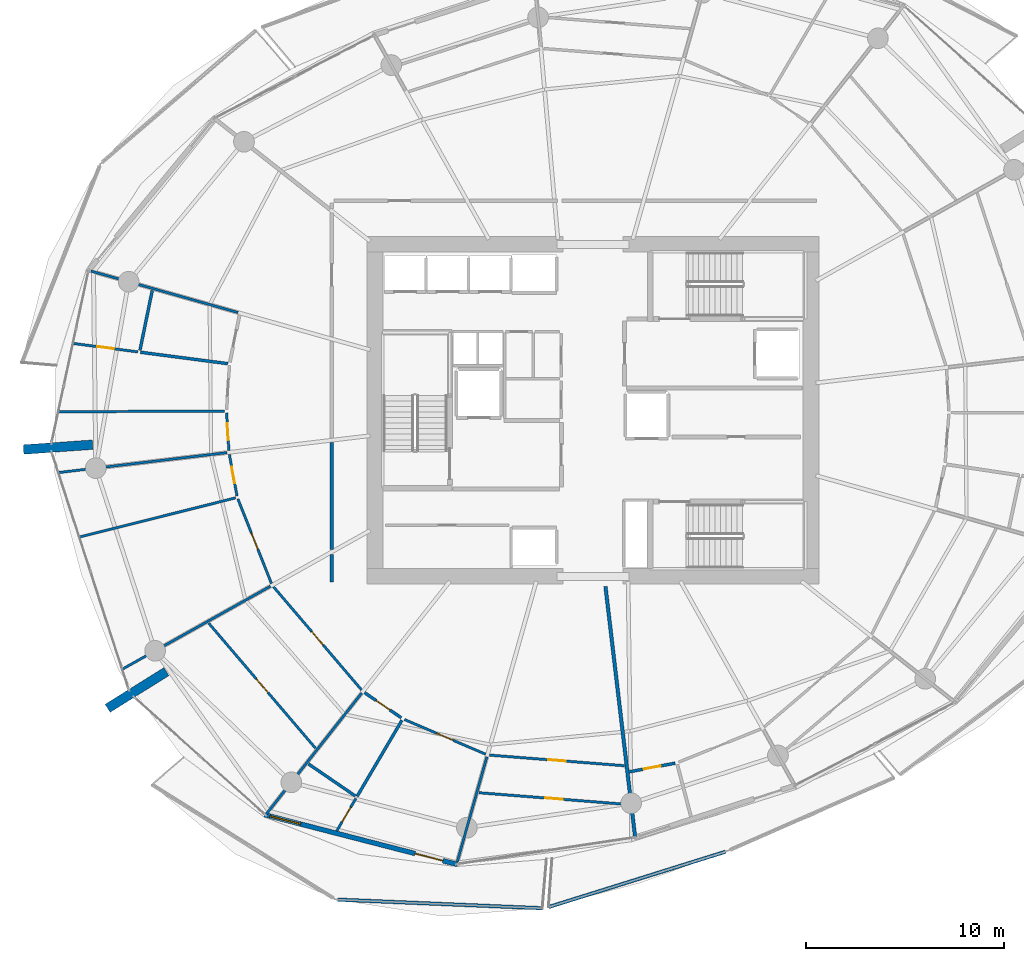
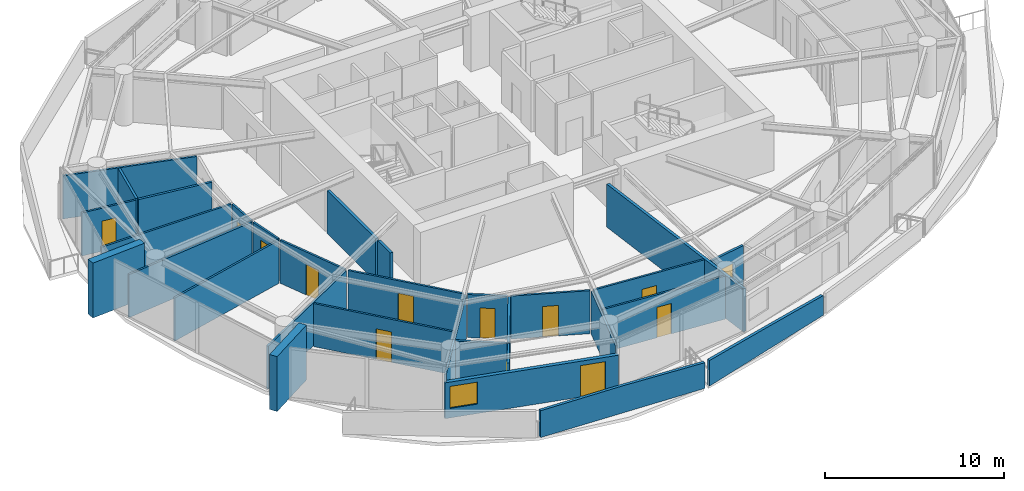
# One storey, part 11 of 20: 31 walls, 13 doors, 1 window, 14 openings.
"""IFC4 building model written with IfcOpenShell, lengths in metres."""

from ifc_helpers import new_model, si_unit, direction, frame, frame_2d, origin, place, context, subcontext, project, spatial, polyline, rectangle, outline, extrude, material, layer, layer_set, type_object, element, fill, save


model = new_model("IFC4")

# Units and contexts
model_context = context("Model", 3, precision=1e-05, world=origin(), true_north=direction((0.0, 1.0)))
body_context = subcontext(model_context, "Body", "Model", "MODEL_VIEW")
ifc_project = project(units=[si_unit("LENGTHUNIT", "METRE"), si_unit("AREAUNIT", "SQUARE_METRE"), si_unit("VOLUMEUNIT", "CUBIC_METRE"), si_unit("PLANEANGLEUNIT", "RADIAN"), si_unit("MASSUNIT", "GRAM", prefix="KILO")], contexts=[model_context])

# Site, building, storey
site_placement = place(None, origin())
site = spatial("IfcSite", under=ifc_project, at=site_placement, CompositionType="ELEMENT")
building_placement = place(site_placement, origin())
building = spatial("IfcBuilding", under=site, at=building_placement, Name="Kazma Halo Residences", CompositionType="ELEMENT")
storey_placement = place(building_placement, frame((0.0, 0.0, 146.550048828125)))
storey = spatial("IfcBuildingStorey", under=building, at=storey_placement, Name="L36", CompositionType="ELEMENT", Elevation=146.550048828125)

# Walls
ifc_material_1 = material(Name="White Concrete C50/60 Balustrade", Category="concrete")
ifc_layer_1 = layer(ifc_material_1, 0.179931640625)
ifc_layer_set_1 = layer_set([ifc_layer_1], Name="White Concrete C50/60 Balustrade")
wall_type_1 = type_object("IfcWallType", Name="WL-BAL-WAVE-180", PredefinedType="PARAPET", material=ifc_layer_set_1)
wall_1_placement = place(storey_placement, frame((35.506591796875, 17.240234375, 0.0), z_axis=(0.0, 0.0, 1.0), x_axis=(0.999118685157, -0.041974432349, 0.0)))
element("IfcWall", 1, at=wall_1_placement, inside=storey, type_object=wall_type_1, Name="L36 white wave balustrade wall SW.2", PredefinedType="PARAPET", context=body_context, shape_type="SweptSolid", body=[
    extrude(outline(polyline([(0.0, 0.0), (10.36474609375, 0.0), (10.364501953125, 1.755859375), (5.182373046875, 1.85302734375), (0.0, 1.83203125), (0.0, 0.0)])), frame((0.0, 0.08984375, 0.0), z_axis=(0.0, -1.0, 0.0), x_axis=(1.0, 0.0, 0.0)), (0.0, 0.0, 1.0), 0.179931640625),
])
wall_2_placement = place(storey_placement, frame((46.176025390625, 16.86279296875, 0.0), z_axis=(0.0, 0.0, 1.0), x_axis=(0.954421625817, 0.298461656119, 0.0)))
element("IfcWall", 2, at=wall_2_placement, inside=storey, type_object=wall_type_1, Name="L36 white wave balustrade wall SSE.1", PredefinedType="PARAPET", context=body_context, shape_type="SweptSolid", body=[
    extrude(outline(polyline([(0.0, 0.0), (9.38330078125, 0.0), (9.383056640625, 1.347900390625), (4.69140625, 1.56201171875), (0.0, 1.7470703125), (0.0, 0.0)])), frame((0.0, 0.08984375, 0.0), z_axis=(0.0, -1.0, 0.0), x_axis=(1.0, 0.0, 0.0)), (0.0, 0.0, 1.0), 0.179931640625),
])
ifc_material_2 = material(Name="Pale Concrete C60/75", Category="concrete")
ifc_layer_2 = layer(ifc_material_2, 0.47998046875)
ifc_layer_set_2 = layer_set([ifc_layer_2], Name="Pale Concrete C60/75")
wall_type_2 = type_object("IfcWallType", Name="WL-BLADE-480", PredefinedType="SOLIDWALL", material=ifc_layer_set_2)
for number, where, z_axis, x_axis, name in (
    (3, (23.10302734375, 40.259033203125, 0.0), (0.0, 0.0, 1.0), (-0.997564163539, -0.069754853754, 0.0), "L36 pale concrete structural blade fin wall BW-02"),
    (4, (26.834716796875, 28.7744140625, 0.0), (0.0, 0.0, 1.0), (-0.848053161125, -0.529911158502, 0.0), "L36 pale concrete structural blade fin wall BW-03"),
):
    element("IfcWall", number, at=place(storey_placement, frame(where, z_axis=z_axis, x_axis=x_axis)), inside=storey, type_object=wall_type_2, Name=name, PredefinedType="SOLIDWALL", context=body_context, shape_type="SweptSolid", body=[
        extrude(rectangle(XDim=3.5, YDim=0.47998046875, at=frame_2d((1.75, 0.0))), origin(), (0.0, 0.0, 1.0), 3.75),
    ])
ifc_material_3 = material(Name="Acoustic Twin-Stud Gypsum")
ifc_layer_3 = layer(ifc_material_3, 0.179931640625)
ifc_layer_set_3 = layer_set([ifc_layer_3], Name="Acoustic Twin-Stud Gypsum")
wall_type_3 = type_object("IfcWallType", Name="WL-DEM-180", PredefinedType="PARTITIONING", material=ifc_layer_set_3)
wall_3_placement = place(storey_placement, frame((49.054443359375, 33.0908203125, 0.0), z_axis=(0.0, 0.0, 1.0), x_axis=(0.117543744731, -0.993067705685, 0.0)))
element("IfcWall", 5, at=wall_3_placement, inside=storey, type_object=wall_type_3, Name="L36 apartment demising radial wall 11", PredefinedType="PARTITIONING", context=body_context, shape_type="SweptSolid", body=[
    extrude(rectangle(XDim=12.76318359375, YDim=0.179931640625, at=frame_2d((6.381591796875, 0.0))), origin(), (0.0, 0.0, 1.0), 2.93994140625),
])
wall_4_placement = place(storey_placement, frame((35.199951171875, 40.364990234375, 0.0), z_axis=(0.0, 0.0, 1.0), x_axis=(0.0, -1.0, 0.0)))
element("IfcWall", 6, at=wall_4_placement, inside=storey, type_object=wall_type_3, Name="L36 Apartment 1 inner wall 7", PredefinedType="PARTITIONING", context=body_context, shape_type="SweptSolid", body=[
    extrude(rectangle(XDim=5.413330078125, YDim=0.179931640625, at=frame_2d((2.70654296875, 0.0))), origin(), (0.0, 0.0, 1.0), 2.93994140625),
])
wall_5_placement = place(storey_placement, frame((35.199951171875, 34.711669921875, 0.0), z_axis=(0.0, 0.0, 1.0), x_axis=(0.0, -1.0, 0.0)))
element("IfcWall", 7, at=wall_5_placement, inside=storey, type_object=wall_type_3, Name="L36 Apartment 1 inner wall 8", PredefinedType="PARTITIONING", context=body_context, shape_type="SweptSolid", body=[
    extrude(rectangle(XDim=1.3916015625, YDim=0.179931640625, at=frame_2d((0.69580078125, 0.0))), origin(), (0.0, 0.0, 1.0), 2.93994140625),
])

# Wall, openings, door, window
ifc_material_4 = material(Name="Insulated Pale-Metal Composite Wall")
ifc_layer_4 = layer(ifc_material_4, 0.239990234375)
ifc_layer_set_4 = layer_set([ifc_layer_4], Name="Insulated Pale-Metal Composite Wall")
wall_type_4 = type_object("IfcWallType", Name="WL-EXT-HOST-240", PredefinedType="SOLIDWALL", material=ifc_layer_set_4)
wall_6_placement = place(storey_placement, frame((31.807861328125, 21.5341796875, 0.0), z_axis=(0.0, 0.0, 1.0), x_axis=(0.968379685126, -0.249481032214, 0.0)))
wall_6 = element("IfcWall", 8, at=wall_6_placement, inside=storey, type_object=wall_type_4, Name="L36 exterior terrace-access wall B10", PredefinedType="SOLIDWALL", context=body_context, shape_type="SweptSolid", body=[
    extrude(rectangle(XDim=10.08154296875, YDim=0.239990234375, at=frame_2d((5.040771484375, 0.0))), origin(), (0.0, 0.0, 1.0), 2.449951171875),
])
opening_1_placement = place(wall_6_placement, frame((7.861572265625, 0.0, 0.0)))
opening_1 = element("IfcOpeningElement", 9, at=opening_1_placement, cuts=wall_6, Name="Opening DTR-1600", PredefinedType="OPENING", context=body_context, shape_type="SweptSolid", body=[
    extrude(rectangle(XDim=1.449951171875, YDim=2.14990234375, at=frame_2d((0.72509765625, 1.074951171875))), frame((0.0, 0.1298828125, 0.0), z_axis=(0.0, -1.0, 0.0), x_axis=(1.0, 0.0, 0.0)), (0.0, 0.0, 1.0), 0.260009765625),
])
opening_2_placement = place(wall_6_placement, frame((0.280029296875, 0.0, 0.64990234375)))
opening_2 = element("IfcOpeningElement", 10, at=opening_2_placement, cuts=wall_6, Name="Opening W-1800", PredefinedType="OPENING", context=body_context, shape_type="SweptSolid", body=[
    extrude(rectangle(XDim=1.60009765625, YDim=1.5, at=frame_2d((0.800048828125, 0.75))), frame((0.0, 0.1298828125, 0.0), z_axis=(0.0, -1.0, 0.0), x_axis=(1.0, 0.0, 0.0)), (0.0, 0.0, 1.0), 0.260009765625),
])
ifc_material_5 = material(Name="Aluminium AW-6063 T6 Double-Glazed Terrace Door", Category="aluminium")
door_type_1 = type_object("IfcDoorType", Name="DR-EXT-TERR-1600", OperationType="NOTDEFINED", PredefinedType="DOOR", material=ifc_material_5)
door_1_placement = place(opening_1_placement, origin())
door_1 = element("IfcDoor", 11, at=door_1_placement, inside=storey, type_object=door_type_1, Name="L36 B10 balcony terrace door", OperationType="DOUBLE_DOOR_SLIDING", OverallHeight=2.14990234375, OverallWidth=1.449951171875, PredefinedType="DOOR", context=body_context, shape_type="SweptSolid", body=[
    extrude(rectangle(XDim=1.449951171875, YDim=2.14990234375, at=frame_2d((0.72509765625, 1.074951171875))), frame((0.0, 0.02490234375, 0.0), z_axis=(0.0, -1.0, 0.0), x_axis=(1.0, 0.0, 0.0)), (0.0, 0.0, 1.0), 0.050048828125),
])
fill(opening_1, door_1)
ifc_material_6 = material(Name="Clear Triple-Silver Low-E Glass in Aluminium AW-6063 T6 Frame", Category="aluminium")
window_type = type_object("IfcWindowType", Name="WIN-RES-1800", PartitioningType="DOUBLE_PANEL_VERTICAL", PredefinedType="WINDOW", material=ifc_material_6)
window_placement = place(opening_2_placement, origin())
window = element("IfcWindow", 12, at=window_placement, inside=storey, type_object=window_type, Name="L36 B10 apartment window", OverallHeight=1.5, OverallWidth=1.60009765625, PartitioningType="SINGLE_PANEL", PredefinedType="WINDOW", context=body_context, shape_type="SweptSolid", body=[
    extrude(rectangle(XDim=1.60009765625, YDim=1.5, at=frame_2d((0.800048828125, 0.75))), frame((0.0, 0.030029296875, 0.0), z_axis=(0.0, -1.0, 0.0), x_axis=(1.0, 0.0, 0.0)), (0.0, 0.0, 1.0), 0.06005859375),
])
fill(opening_2, window)

# Wall
ifc_material_7 = material(Name="Gypsum Plasterboard Partition")
ifc_layer_5 = layer(ifc_material_7, 0.125)
ifc_layer_set_5 = layer_set([ifc_layer_5], Name="Gypsum Plasterboard Partition")
wall_type_5 = type_object("IfcWallType", Name="WL-PART-125", PredefinedType="PARTITIONING", material=ifc_layer_set_5)
wall_7_placement = place(storey_placement, frame((30.465087890625, 46.9453125, 0.0), z_axis=(0.0, 0.0, 1.0), x_axis=(-0.962456021196, 0.271437667363, 0.0)))
element("IfcWall", 13, at=wall_7_placement, inside=storey, type_object=wall_type_5, Name="L36 Apartment 1 radial partition 6", PredefinedType="PARTITIONING", context=body_context, shape_type="SweptSolid", body=[
    extrude(rectangle(XDim=7.732421875, YDim=0.125, at=frame_2d((3.8662109375, 0.0))), origin(), (0.0, 0.0, 1.0), 2.93994140625),
])

# Wall, opening, door
wall_8_placement = place(storey_placement, frame((25.393310546875, 44.955078125, 0.0), z_axis=(0.0, 0.0, 1.0), x_axis=(-0.991560176963, 0.12964727325, 0.0)))
wall_8 = element("IfcWall", 14, at=wall_8_placement, inside=storey, type_object=wall_type_5, Name="L36 Apartment 1 Household Store Room partition wall", PredefinedType="PARTITIONING", context=body_context, shape_type="SweptSolid", body=[
    extrude(rectangle(XDim=3.2861328125, YDim=0.125, at=frame_2d((1.64306640625, 0.0))), origin(), (0.0, 0.0, 1.0), 2.93994140625),
])
opening_3_placement = place(wall_8_placement, frame((1.218017578125, 0.0, 0.0)))
opening_3 = element("IfcOpeningElement", 15, at=opening_3_placement, cuts=wall_8, Name="Opening DB-900", PredefinedType="OPENING", context=body_context, shape_type="SweptSolid", body=[
    extrude(rectangle(XDim=0.85009765625, YDim=2.06005859375, at=frame_2d((0.425048828125, 1.030029296875))), frame((0.0, 0.072509765625, 0.0), z_axis=(0.0, -1.0, 0.0), x_axis=(1.0, 0.0, 0.0)), (0.0, 0.0, 1.0), 0.14501953125),
])
ifc_material_8 = material(Name="Moisture-Sealed Timber Leaf", Category="wood")
door_type_2 = type_object("IfcDoorType", Name="DR-BTH-900", OperationType="NOTDEFINED", PredefinedType="DOOR", material=ifc_material_8)
door_2_placement = place(opening_3_placement, origin())
door_2 = element("IfcDoor", 16, at=door_2_placement, inside=storey, type_object=door_type_2, Name="L36 Apartment 1 Household Store Room door", OperationType="SINGLE_SWING_RIGHT", OverallHeight=2.06005859375, OverallWidth=0.85009765625, PredefinedType="DOOR", context=body_context, shape_type="SweptSolid", body=[
    extrude(rectangle(XDim=0.85009765625, YDim=2.06005859375, at=frame_2d((0.425048828125, 1.030029296875))), frame((0.0, 0.02490234375, 0.0), z_axis=(0.0, -1.0, 0.0), x_axis=(1.0, 0.0, 0.0)), (0.0, 0.0, 1.0), 0.050048828125),
])
fill(opening_3, door_2)

# Wall
wall_9_placement = place(storey_placement, frame((29.791015625, 41.952880859375, 0.0), z_axis=(0.0, 0.0, 1.0), x_axis=(-0.999996651439, -0.0025878777, 0.0)))
element("IfcWall", 17, at=wall_9_placement, inside=storey, type_object=wall_type_5, Name="L36 Apartment 1 suite divider 6", PredefinedType="PARTITIONING", context=body_context, shape_type="SweptSolid", body=[
    extrude(rectangle(XDim=8.396240234375, YDim=0.125, at=frame_2d((4.1982421875, 0.0))), origin(), (0.0, 0.0, 1.0), 2.93994140625),
])

# Wall, opening, door
wall_10_placement = place(storey_placement, frame((29.885986328125, 41.873291015625, 0.0), z_axis=(0.0, 0.0, 1.0), x_axis=(0.060058165276, -0.998194879161, 0.0)))
wall_10 = element("IfcWall", 18, at=wall_10_placement, inside=storey, type_object=wall_type_5, Name="L36 Apartment 1 Primary Bedroom hall wall", PredefinedType="PARTITIONING", context=body_context, shape_type="SweptSolid", body=[
    extrude(rectangle(XDim=1.906494140625, YDim=0.125, at=frame_2d((0.953125, 0.0))), origin(), (0.0, 0.0, 1.0), 2.93994140625),
])
opening_4_placement = place(wall_10_placement, frame((0.5283203125, 0.0, 0.0)))
opening_4 = element("IfcOpeningElement", 19, at=opening_4_placement, cuts=wall_10, Name="Opening DB-900", PredefinedType="OPENING", context=body_context, shape_type="SweptSolid", body=[
    extrude(rectangle(XDim=0.85009765625, YDim=2.06005859375, at=frame_2d((0.425048828125, 1.030029296875))), frame((0.0, 0.072509765625, 0.0), z_axis=(0.0, -1.0, 0.0), x_axis=(1.0, 0.0, 0.0)), (0.0, 0.0, 1.0), 0.14501953125),
])
door_3_placement = place(opening_4_placement, origin())
door_3 = element("IfcDoor", 20, at=door_3_placement, inside=storey, type_object=door_type_2, Name="L36 Apartment 1 Primary Bedroom door", OperationType="SINGLE_SWING_RIGHT", OverallHeight=2.06005859375, OverallWidth=0.85009765625, PredefinedType="DOOR", context=body_context, shape_type="SweptSolid", body=[
    extrude(rectangle(XDim=0.85009765625, YDim=2.06005859375, at=frame_2d((0.425048828125, 1.030029296875))), frame((0.0, 0.02490234375, 0.0), z_axis=(0.0, -1.0, 0.0), x_axis=(1.0, 0.0, 0.0)), (0.0, 0.0, 1.0), 0.050048828125),
])
fill(opening_4, door_3)

# Walls
wall_11_placement = place(storey_placement, frame((29.9072265625, 39.8583984375, 0.0), z_axis=(0.0, 0.0, 1.0), x_axis=(-0.993070228419, -0.117522429465, 0.0)))
element("IfcWall", 21, at=wall_11_placement, inside=storey, type_object=wall_type_5, Name="L36 Apartment 1 radial partition 7", PredefinedType="PARTITIONING", context=body_context, shape_type="SweptSolid", body=[
    extrude(rectangle(XDim=8.567138671875, YDim=0.125, at=frame_2d((4.28369140625, 0.0))), origin(), (0.0, 0.0, 1.0), 2.93994140625),
])
wall_12_placement = place(storey_placement, frame((30.33837890625, 37.568603515625, 0.0), z_axis=(0.0, 0.0, 1.0), x_axis=(-0.969940631235, -0.243341677236, 0.0)))
element("IfcWall", 22, at=wall_12_placement, inside=storey, type_object=wall_type_5, Name="L36 Apartment 1 mid-bay wall 7", PredefinedType="PARTITIONING", context=body_context, shape_type="SweptSolid", body=[
    extrude(rectangle(XDim=8.12353515625, YDim=0.125, at=frame_2d((4.061767578125, 0.0))), origin(), (0.0, 0.0, 1.0), 2.93994140625),
])

# Wall, opening, door
wall_13_placement = place(storey_placement, frame((30.024658203125, 39.77197265625, 0.0), z_axis=(0.0, 0.0, 1.0), x_axis=(0.180764237825, -0.983526456341, 0.0)))
wall_13 = element("IfcWall", 23, at=wall_13_placement, inside=storey, type_object=wall_type_5, Name="L36 Apartment 1 East Bedroom hall wall", PredefinedType="PARTITIONING", context=body_context, shape_type="SweptSolid", body=[
    extrude(rectangle(XDim=2.137939453125, YDim=0.125, at=frame_2d((1.06884765625, 0.0))), origin(), (0.0, 0.0, 1.0), 2.93994140625),
])
opening_5_placement = place(wall_13_placement, frame((0.64404296875, 0.0, 0.0)))
opening_5 = element("IfcOpeningElement", 24, at=opening_5_placement, cuts=wall_13, Name="Opening DB-900", PredefinedType="OPENING", context=body_context, shape_type="SweptSolid", body=[
    extrude(rectangle(XDim=0.85009765625, YDim=2.06005859375, at=frame_2d((0.425048828125, 1.030029296875))), frame((0.0, 0.072509765625, 0.0), z_axis=(0.0, -1.0, 0.0), x_axis=(1.0, 0.0, 0.0)), (0.0, 0.0, 1.0), 0.14501953125),
])
door_4_placement = place(opening_5_placement, origin())
door_4 = element("IfcDoor", 25, at=door_4_placement, inside=storey, type_object=door_type_2, Name="L36 Apartment 1 East Bedroom door", OperationType="SINGLE_SWING_RIGHT", OverallHeight=2.06005859375, OverallWidth=0.85009765625, PredefinedType="DOOR", context=body_context, shape_type="SweptSolid", body=[
    extrude(rectangle(XDim=0.85009765625, YDim=2.06005859375, at=frame_2d((0.425048828125, 1.030029296875))), frame((0.0, 0.02490234375, 0.0), z_axis=(0.0, -1.0, 0.0), x_axis=(1.0, 0.0, 0.0)), (0.0, 0.0, 1.0), 0.050048828125),
])
fill(opening_5, door_4)

wall_14_placement = place(storey_placement, frame((30.455078125, 37.51611328125, 0.0), z_axis=(0.0, 0.0, 1.0), x_axis=(0.369249273076, -0.929330390299, 0.0)))
wall_14 = element("IfcWall", 26, at=wall_14_placement, inside=storey, type_object=wall_type_5, Name="L36 Apartment 1 West Master Bedroom hall wall", PredefinedType="PARTITIONING", context=body_context, shape_type="SweptSolid", body=[
    extrude(rectangle(XDim=4.601806640625, YDim=0.125, at=frame_2d((2.30078125, 0.0))), origin(), (0.0, 0.0, 1.0), 2.93994140625),
])
opening_6_placement = place(wall_14_placement, frame((1.850830078125, 0.0, 0.0)))
opening_6 = element("IfcOpeningElement", 27, at=opening_6_placement, cuts=wall_14, Name="Opening DI-950", PredefinedType="OPENING", context=body_context, shape_type="SweptSolid", body=[
    extrude(rectangle(XDim=0.89990234375, YDim=2.080078125, at=frame_2d((0.449951171875, 1.0400390625))), frame((0.0, 0.072509765625, 0.0), z_axis=(0.0, -1.0, 0.0), x_axis=(1.0, 0.0, 0.0)), (0.0, 0.0, 1.0), 0.14501953125),
])
ifc_material_9 = material(Name="Timber Veneer Flush Leaf", Category="wood")
door_type_3 = type_object("IfcDoorType", Name="DR-INT-950", OperationType="NOTDEFINED", PredefinedType="DOOR", material=ifc_material_9)
door_5_placement = place(opening_6_placement, origin())
door_5 = element("IfcDoor", 28, at=door_5_placement, inside=storey, type_object=door_type_3, Name="L36 Apartment 1 West Master Bedroom door", OperationType="SINGLE_SWING_LEFT", OverallHeight=2.080078125, OverallWidth=0.89990234375, PredefinedType="DOOR", context=body_context, shape_type="SweptSolid", body=[
    extrude(rectangle(XDim=0.89990234375, YDim=2.080078125, at=frame_2d((0.449951171875, 1.0400390625))), frame((0.0, 0.02490234375, 0.0), z_axis=(0.0, -1.0, 0.0), x_axis=(1.0, 0.0, 0.0)), (0.0, 0.0, 1.0), 0.050048828125),
])
fill(opening_6, door_5)

# Wall
wall_15_placement = place(storey_placement, frame((32.10400390625, 33.097900390625, 0.0), z_axis=(0.0, 0.0, 1.0), x_axis=(-0.872488035617, -0.488635475283, 0.0)))
element("IfcWall", 29, at=wall_15_placement, inside=storey, type_object=wall_type_5, Name="L36 Apartment 1 radial partition 8", PredefinedType="PARTITIONING", context=body_context, shape_type="SweptSolid", body=[
    extrude(rectangle(XDim=8.5673828125, YDim=0.125, at=frame_2d((4.28369140625, 0.0))), origin(), (0.0, 0.0, 1.0), 2.93994140625),
])

# Wall, opening, door
wall_16_placement = place(storey_placement, frame((32.2626953125, 33.06298828125, 0.0), z_axis=(0.0, 0.0, 1.0), x_axis=(0.649448927448, -0.760405214762, 0.0)))
wall_16 = element("IfcWall", 30, at=wall_16_placement, inside=storey, type_object=wall_type_5, Name="L36 Apartment 1 North Study hall wall", PredefinedType="PARTITIONING", context=body_context, shape_type="SweptSolid", body=[
    extrude(rectangle(XDim=6.849609375, YDim=0.125, at=frame_2d((3.4248046875, 0.0))), origin(), (0.0, 0.0, 1.0), 2.93994140625),
])
opening_7_placement = place(wall_16_placement, frame((2.974853515625, 0.0, 0.0)))
opening_7 = element("IfcOpeningElement", 31, at=opening_7_placement, cuts=wall_16, Name="Opening DI-950", PredefinedType="OPENING", context=body_context, shape_type="SweptSolid", body=[
    extrude(rectangle(XDim=0.89990234375, YDim=2.080078125, at=frame_2d((0.449951171875, 1.0400390625))), frame((0.0, 0.072509765625, 0.0), z_axis=(0.0, -1.0, 0.0), x_axis=(1.0, 0.0, 0.0)), (0.0, 0.0, 1.0), 0.14501953125),
])
door_6_placement = place(opening_7_placement, origin())
door_6 = element("IfcDoor", 32, at=door_6_placement, inside=storey, type_object=door_type_3, Name="L36 Apartment 1 North Study door", OperationType="SINGLE_SWING_LEFT", OverallHeight=2.080078125, OverallWidth=0.89990234375, PredefinedType="DOOR", context=body_context, shape_type="SweptSolid", body=[
    extrude(rectangle(XDim=0.89990234375, YDim=2.080078125, at=frame_2d((0.449951171875, 1.0400390625))), frame((0.0, 0.02490234375, 0.0), z_axis=(0.0, -1.0, 0.0), x_axis=(1.0, 0.0, 0.0)), (0.0, 0.0, 1.0), 0.050048828125),
])
fill(opening_7, door_6)

wall_17_placement = place(storey_placement, frame((28.982177734375, 31.225830078125, 0.0), z_axis=(0.0, 0.0, 1.0), x_axis=(0.649429273824, -0.760422000142, 0.0)))
wall_17 = element("IfcWall", 33, at=wall_17_placement, inside=storey, type_object=wall_type_5, Name="L36 Apartment 1 South Master Bedroom divider wall", PredefinedType="PARTITIONING", context=body_context, shape_type="SweptSolid", body=[
    extrude(rectangle(XDim=8.316650390625, YDim=0.125, at=frame_2d((4.158203125, 0.0))), origin(), (0.0, 0.0, 1.0), 2.93994140625),
])
opening_8_placement = place(wall_17_placement, frame((3.70849609375, 0.0, 0.0)))
opening_8 = element("IfcOpeningElement", 34, at=opening_8_placement, cuts=wall_17, Name="Opening DI-950", PredefinedType="OPENING", context=body_context, shape_type="SweptSolid", body=[
    extrude(rectangle(XDim=0.89990234375, YDim=2.080078125, at=frame_2d((0.449951171875, 1.0400390625))), frame((0.0, 0.072509765625, 0.0), z_axis=(0.0, -1.0, 0.0), x_axis=(1.0, 0.0, 0.0)), (0.0, 0.0, 1.0), 0.14501953125),
])
door_7_placement = place(opening_8_placement, origin())
door_7 = element("IfcDoor", 35, at=door_7_placement, inside=storey, type_object=door_type_3, Name="L36 Apartment 1 South Master Bedroom door", OperationType="SINGLE_SWING_RIGHT", OverallHeight=2.080078125, OverallWidth=0.89990234375, PredefinedType="DOOR", context=body_context, shape_type="SweptSolid", body=[
    extrude(rectangle(XDim=0.89990234375, YDim=2.080078125, at=frame_2d((0.449951171875, 1.0400390625))), frame((0.0, 0.02490234375, 0.0), z_axis=(0.0, -1.0, 0.0), x_axis=(1.0, 0.0, 0.0)), (0.0, 0.0, 1.0), 0.050048828125),
])
fill(opening_8, door_7)

# Wall
wall_18_placement = place(storey_placement, frame((36.720703125, 27.6923828125, 0.0), z_axis=(0.0, 0.0, 1.0), x_axis=(-0.619091325953, -0.785318998962, 0.0)))
element("IfcWall", 36, at=wall_18_placement, inside=storey, type_object=wall_type_5, Name="L36 Apartment 1 radial partition 9", PredefinedType="PARTITIONING", context=body_context, shape_type="SweptSolid", body=[
    extrude(rectangle(XDim=7.832763671875, YDim=0.125, at=frame_2d((3.91650390625, 0.0))), origin(), (0.0, 0.0, 1.0), 2.93994140625),
])

# Wall, opening, door
wall_19_placement = place(storey_placement, frame((36.42529296875, 22.35791015625, 0.0), z_axis=(0.0, 0.0, 1.0), x_axis=(-0.507653216709, -0.861561496102, 0.0)))
wall_19 = element("IfcWall", 37, at=wall_19_placement, inside=storey, type_object=wall_type_5, Name="L36 Apartment 1 Outer Walk-In Wardrobe partition wall", PredefinedType="PARTITIONING", context=body_context, shape_type="SweptSolid", body=[
    extrude(rectangle(XDim=1.904052734375, YDim=0.125, at=frame_2d((0.9521484375, 0.0))), origin(), (0.0, 0.0, 1.0), 2.93994140625),
])
opening_9_placement = place(wall_19_placement, frame((0.52685546875, 0.0, 0.0)))
opening_9 = element("IfcOpeningElement", 38, at=opening_9_placement, cuts=wall_19, Name="Opening DB-900", PredefinedType="OPENING", context=body_context, shape_type="SweptSolid", body=[
    extrude(rectangle(XDim=0.85009765625, YDim=2.06005859375, at=frame_2d((0.425048828125, 1.030029296875))), frame((0.0, 0.072509765625, 0.0), z_axis=(0.0, -1.0, 0.0), x_axis=(1.0, 0.0, 0.0)), (0.0, 0.0, 1.0), 0.14501953125),
])
door_8_placement = place(opening_9_placement, origin())
door_8 = element("IfcDoor", 39, at=door_8_placement, inside=storey, type_object=door_type_2, Name="L36 Apartment 1 Outer Walk-In Wardrobe door", OperationType="SINGLE_SWING_LEFT", OverallHeight=2.06005859375, OverallWidth=0.85009765625, PredefinedType="DOOR", context=body_context, shape_type="SweptSolid", body=[
    extrude(rectangle(XDim=0.85009765625, YDim=2.06005859375, at=frame_2d((0.425048828125, 1.030029296875))), frame((0.0, 0.02490234375, 0.0), z_axis=(0.0, -1.0, 0.0), x_axis=(1.0, 0.0, 0.0)), (0.0, 0.0, 1.0), 0.050048828125),
])
fill(opening_9, door_8)

wall_20_placement = place(storey_placement, frame((38.884033203125, 26.354248046875, 0.0), z_axis=(0.0, 0.0, 1.0), x_axis=(0.919625189591, -0.392797034955, 0.0)))
wall_20 = element("IfcWall", 40, at=wall_20_placement, inside=storey, type_object=wall_type_5, Name="L36 Apartment 1 Corner Master Bedroom hall wall", PredefinedType="PARTITIONING", context=body_context, shape_type="SweptSolid", body=[
    extrude(rectangle(XDim=4.464599609375, YDim=0.125, at=frame_2d((2.232421875, 0.0))), origin(), (0.0, 0.0, 1.0), 2.93994140625),
])
opening_10_placement = place(wall_20_placement, frame((1.7822265625, 0.0, 0.0)))
opening_10 = element("IfcOpeningElement", 41, at=opening_10_placement, cuts=wall_20, Name="Opening DI-950", PredefinedType="OPENING", context=body_context, shape_type="SweptSolid", body=[
    extrude(rectangle(XDim=0.89990234375, YDim=2.080078125, at=frame_2d((0.449951171875, 1.0400390625))), frame((0.0, 0.072509765625, 0.0), z_axis=(0.0, -1.0, 0.0), x_axis=(1.0, 0.0, 0.0)), (0.0, 0.0, 1.0), 0.14501953125),
])
door_9_placement = place(opening_10_placement, origin())
door_9 = element("IfcDoor", 42, at=door_9_placement, inside=storey, type_object=door_type_3, Name="L36 Apartment 1 Corner Master Bedroom door", OperationType="SINGLE_SWING_RIGHT", OverallHeight=2.080078125, OverallWidth=0.89990234375, PredefinedType="DOOR", context=body_context, shape_type="SweptSolid", body=[
    extrude(rectangle(XDim=0.89990234375, YDim=2.080078125, at=frame_2d((0.449951171875, 1.0400390625))), frame((0.0, 0.02490234375, 0.0), z_axis=(0.0, -1.0, 0.0), x_axis=(1.0, 0.0, 0.0)), (0.0, 0.0, 1.0), 0.050048828125),
])
fill(opening_10, door_9)

# Wall
wall_21_placement = place(storey_placement, frame((43.0546875, 24.465087890625, 0.0), z_axis=(0.0, 0.0, 1.0), x_axis=(-0.271448610669, -0.962452934831, 0.0)))
element("IfcWall", 43, at=wall_21_placement, inside=storey, type_object=wall_type_5, Name="L36 Apartment 1 radial partition 10", PredefinedType="PARTITIONING", context=body_context, shape_type="SweptSolid", body=[
    extrude(rectangle(XDim=5.5205078125, YDim=0.125, at=frame_2d((2.76025390625, 0.0))), origin(), (0.0, 0.0, 1.0), 2.93994140625),
])

# Wall, opening, door
wall_22_placement = place(storey_placement, frame((43.19140625, 24.552734375, 0.0), z_axis=(0.0, 0.0, 1.0), x_axis=(0.996915344956, -0.078484361444, 0.0)))
wall_22 = element("IfcWall", 44, at=wall_22_placement, inside=storey, type_object=wall_type_5, Name="L36 Apartment 1 Garden Study hall wall", PredefinedType="PARTITIONING", context=body_context, shape_type="SweptSolid", body=[
    extrude(rectangle(XDim=6.849853515625, YDim=0.125, at=frame_2d((3.4248046875, 0.0))), origin(), (0.0, 0.0, 1.0), 2.93994140625),
])
opening_11_placement = place(wall_22_placement, frame((2.974853515625, 0.0, 0.0)))
opening_11 = element("IfcOpeningElement", 45, at=opening_11_placement, cuts=wall_22, Name="Opening DI-950", PredefinedType="OPENING", context=body_context, shape_type="SweptSolid", body=[
    extrude(rectangle(XDim=0.89990234375, YDim=2.080078125, at=frame_2d((0.449951171875, 1.0400390625))), frame((0.0, 0.072509765625, 0.0), z_axis=(0.0, -1.0, 0.0), x_axis=(1.0, 0.0, 0.0)), (0.0, 0.0, 1.0), 0.14501953125),
])
door_10_placement = place(opening_11_placement, origin())
door_10 = element("IfcDoor", 46, at=door_10_placement, inside=storey, type_object=door_type_3, Name="L36 Apartment 1 Garden Study door", OperationType="SINGLE_SWING_LEFT", OverallHeight=2.080078125, OverallWidth=0.89990234375, PredefinedType="DOOR", context=body_context, shape_type="SweptSolid", body=[
    extrude(rectangle(XDim=0.89990234375, YDim=2.080078125, at=frame_2d((0.449951171875, 1.0400390625))), frame((0.0, 0.02490234375, 0.0), z_axis=(0.0, -1.0, 0.0), x_axis=(1.0, 0.0, 0.0)), (0.0, 0.0, 1.0), 0.050048828125),
])
fill(opening_11, door_10)

wall_23_placement = place(storey_placement, frame((42.654541015625, 22.64892578125, 0.0), z_axis=(0.0, 0.0, 1.0), x_axis=(0.996915518975, -0.078482151007, 0.0)))
wall_23 = element("IfcWall", 47, at=wall_23_placement, inside=storey, type_object=wall_type_5, Name="L36 Apartment 1 Sky Bedroom divider wall", PredefinedType="PARTITIONING", context=body_context, shape_type="SweptSolid", body=[
    extrude(rectangle(XDim=7.621337890625, YDim=0.125, at=frame_2d((3.810546875, 0.0))), origin(), (0.0, 0.0, 1.0), 2.93994140625),
])
opening_12_placement = place(wall_23_placement, frame((3.360595703125, 0.0, 0.0)))
opening_12 = element("IfcOpeningElement", 48, at=opening_12_placement, cuts=wall_23, Name="Opening DI-950", PredefinedType="OPENING", context=body_context, shape_type="SweptSolid", body=[
    extrude(rectangle(XDim=0.89990234375, YDim=2.080078125, at=frame_2d((0.449951171875, 1.0400390625))), frame((0.0, 0.072509765625, 0.0), z_axis=(0.0, -1.0, 0.0), x_axis=(1.0, 0.0, 0.0)), (0.0, 0.0, 1.0), 0.14501953125),
])
door_11_placement = place(opening_12_placement, origin())
door_11 = element("IfcDoor", 49, at=door_11_placement, inside=storey, type_object=door_type_3, Name="L36 Apartment 1 Sky Bedroom door", OperationType="SINGLE_SWING_RIGHT", OverallHeight=2.080078125, OverallWidth=0.89990234375, PredefinedType="DOOR", context=body_context, shape_type="SweptSolid", body=[
    extrude(rectangle(XDim=0.89990234375, YDim=2.080078125, at=frame_2d((0.449951171875, 1.0400390625))), frame((0.0, 0.02490234375, 0.0), z_axis=(0.0, -1.0, 0.0), x_axis=(1.0, 0.0, 0.0)), (0.0, 0.0, 1.0), 0.050048828125),
])
fill(opening_12, door_11)

# Walls
ifc_material_10 = material(Name="Moisture-Resistant Gypsum")
ifc_layer_6 = layer(ifc_material_10, 0.14990234375)
ifc_layer_set_6 = layer_set([ifc_layer_6], Name="Moisture-Resistant Gypsum")
wall_type_6 = type_object("IfcWallType", Name="WL-WET-150", PredefinedType="PARTITIONING", material=ifc_layer_set_6)
wall_24_placement = place(storey_placement, frame((26.12353515625, 48.066162109375, 0.0), z_axis=(0.0, 0.0, 1.0), x_axis=(-0.201054681034, -0.979580019822, 0.0)))
element("IfcWall", 50, at=wall_24_placement, inside=storey, type_object=wall_type_6, Name="L36 Apartment 1 Guest Bathroom back wall", PredefinedType="PARTITIONING", context=body_context, shape_type="SweptSolid", body=[
    extrude(rectangle(XDim=3.09765625, YDim=0.14990234375, at=frame_2d((1.548828125, 0.0))), origin(), (0.0, 0.0, 1.0), 2.93994140625),
])
wall_25_placement = place(storey_placement, frame((29.944580078125, 44.360107421875, 0.0), z_axis=(0.0, 0.0, 1.0), x_axis=(-0.991563130501, 0.129624682181, 0.0)))
element("IfcWall", 51, at=wall_25_placement, inside=storey, type_object=wall_type_6, Name="L36 Apartment 1 Guest Bathroom side wall", PredefinedType="PARTITIONING", context=body_context, shape_type="SweptSolid", body=[
    extrude(rectangle(XDim=4.4599609375, YDim=0.14990234375, at=frame_2d((2.22998046875, 0.0))), origin(), (0.0, 0.0, 1.0), 2.93994140625),
])

# Wall, opening, door
wall_26_placement = place(storey_placement, frame((36.864990234375, 27.71435546875, 0.0), z_axis=(0.0, 0.0, 1.0), x_axis=(0.825296643152, -0.564699434037, 0.0)))
wall_26 = element("IfcWall", 52, at=wall_26_placement, inside=storey, type_object=wall_type_6, Name="L36 Apartment 1 Inner En-Suite Bathroom hall wall", PredefinedType="PARTITIONING", context=body_context, shape_type="SweptSolid", body=[
    extrude(rectangle(XDim=2.255859375, YDim=0.14990234375, at=frame_2d((1.1279296875, 0.0))), origin(), (0.0, 0.0, 1.0), 2.93994140625),
])
opening_13_placement = place(wall_26_placement, frame((0.702880859375, 0.0, 0.0)))
opening_13 = element("IfcOpeningElement", 53, at=opening_13_placement, cuts=wall_26, Name="Opening DB-900", PredefinedType="OPENING", context=body_context, shape_type="SweptSolid", body=[
    extrude(rectangle(XDim=0.85009765625, YDim=2.06005859375, at=frame_2d((0.425048828125, 1.030029296875))), frame((0.0, 0.0849609375, 0.0), z_axis=(0.0, -1.0, 0.0), x_axis=(1.0, 0.0, 0.0)), (0.0, 0.0, 1.0), 0.169921875),
])
door_12_placement = place(opening_13_placement, origin())
door_12 = element("IfcDoor", 54, at=door_12_placement, inside=storey, type_object=door_type_2, Name="L36 Apartment 1 Inner En-Suite Bathroom door", OperationType="SINGLE_SWING_RIGHT", OverallHeight=2.06005859375, OverallWidth=0.85009765625, PredefinedType="DOOR", context=body_context, shape_type="SweptSolid", body=[
    extrude(rectangle(XDim=0.85009765625, YDim=2.06005859375, at=frame_2d((0.425048828125, 1.030029296875))), frame((0.0, 0.02490234375, 0.0), z_axis=(0.0, -1.0, 0.0), x_axis=(1.0, 0.0, 0.0)), (0.0, 0.0, 1.0), 0.050048828125),
])
fill(opening_13, door_12)

# Walls
wall_27_placement = place(storey_placement, frame((34.0234375, 24.109619140625, 0.0), z_axis=(0.0, 0.0, 1.0), x_axis=(0.825328087742, -0.564653475667, 0.0)))
element("IfcWall", 55, at=wall_27_placement, inside=storey, type_object=wall_type_6, Name="L36 Apartment 1 Inner En-Suite Bathroom back wall", PredefinedType="PARTITIONING", context=body_context, shape_type="SweptSolid", body=[
    extrude(rectangle(XDim=2.875244140625, YDim=0.14990234375, at=frame_2d((1.4375, 0.0))), origin(), (0.0, 0.0, 1.0), 2.93994140625),
])
wall_28_placement = place(storey_placement, frame((38.755615234375, 26.312255859375, 0.0), z_axis=(0.0, 0.0, 1.0), x_axis=(-0.507701739566, -0.8615329034, 0.0)))
element("IfcWall", 56, at=wall_28_placement, inside=storey, type_object=wall_type_6, Name="L36 Apartment 1 Inner En-Suite Bathroom side wall", PredefinedType="PARTITIONING", context=body_context, shape_type="SweptSolid", body=[
    extrude(rectangle(XDim=4.460205078125, YDim=0.14990234375, at=frame_2d((2.22998046875, 0.0))), origin(), (0.0, 0.0, 1.0), 2.93994140625),
])

# Wall, opening, door
wall_29_placement = place(storey_placement, frame((50.265625, 23.70751953125, 0.0), z_axis=(0.0, 0.0, 1.0), x_axis=(0.982578938246, 0.18584571589, 0.0)))
wall_29 = element("IfcWall", 57, at=wall_29_placement, inside=storey, type_object=wall_type_6, Name="L36 Apartment 2 Guest Bathroom hall wall", PredefinedType="PARTITIONING", context=body_context, shape_type="SweptSolid", body=[
    extrude(rectangle(XDim=2.356689453125, YDim=0.14990234375, at=frame_2d((1.17822265625, 0.0))), origin(), (0.0, 0.0, 1.0), 2.93994140625),
])
opening_14_placement = place(wall_29_placement, frame((0.75341796875, 0.0, 0.0)))
opening_14 = element("IfcOpeningElement", 58, at=opening_14_placement, cuts=wall_29, Name="Opening DB-900", PredefinedType="OPENING", context=body_context, shape_type="SweptSolid", body=[
    extrude(rectangle(XDim=0.85009765625, YDim=2.06005859375, at=frame_2d((0.425048828125, 1.030029296875))), frame((0.0, 0.0849609375, 0.0), z_axis=(0.0, -1.0, 0.0), x_axis=(1.0, 0.0, 0.0)), (0.0, 0.0, 1.0), 0.169921875),
])
door_13_placement = place(opening_14_placement, origin())
door_13 = element("IfcDoor", 59, at=door_13_placement, inside=storey, type_object=door_type_2, Name="L36 Apartment 2 Guest Bathroom door", OperationType="SINGLE_SWING_RIGHT", OverallHeight=2.06005859375, OverallWidth=0.85009765625, PredefinedType="DOOR", context=body_context, shape_type="SweptSolid", body=[
    extrude(rectangle(XDim=0.85009765625, YDim=2.06005859375, at=frame_2d((0.425048828125, 1.030029296875))), frame((0.0, 0.02490234375, 0.0), z_axis=(0.0, -1.0, 0.0), x_axis=(1.0, 0.0, 0.0)), (0.0, 0.0, 1.0), 0.050048828125),
])
fill(opening_14, door_13)

save(model, "model.ifc")
